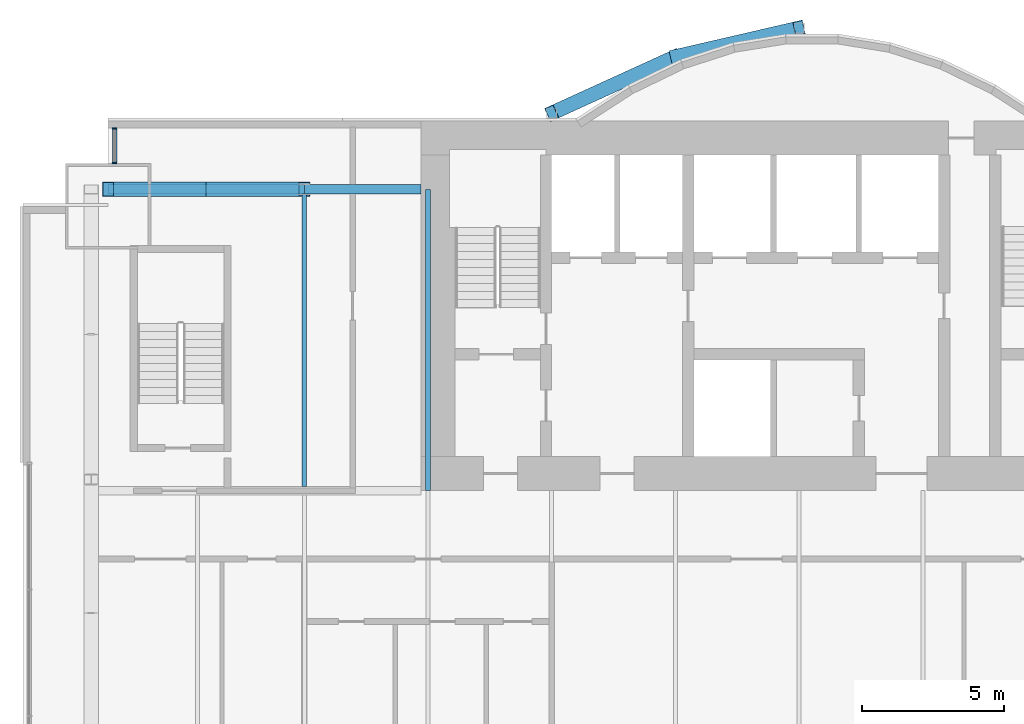
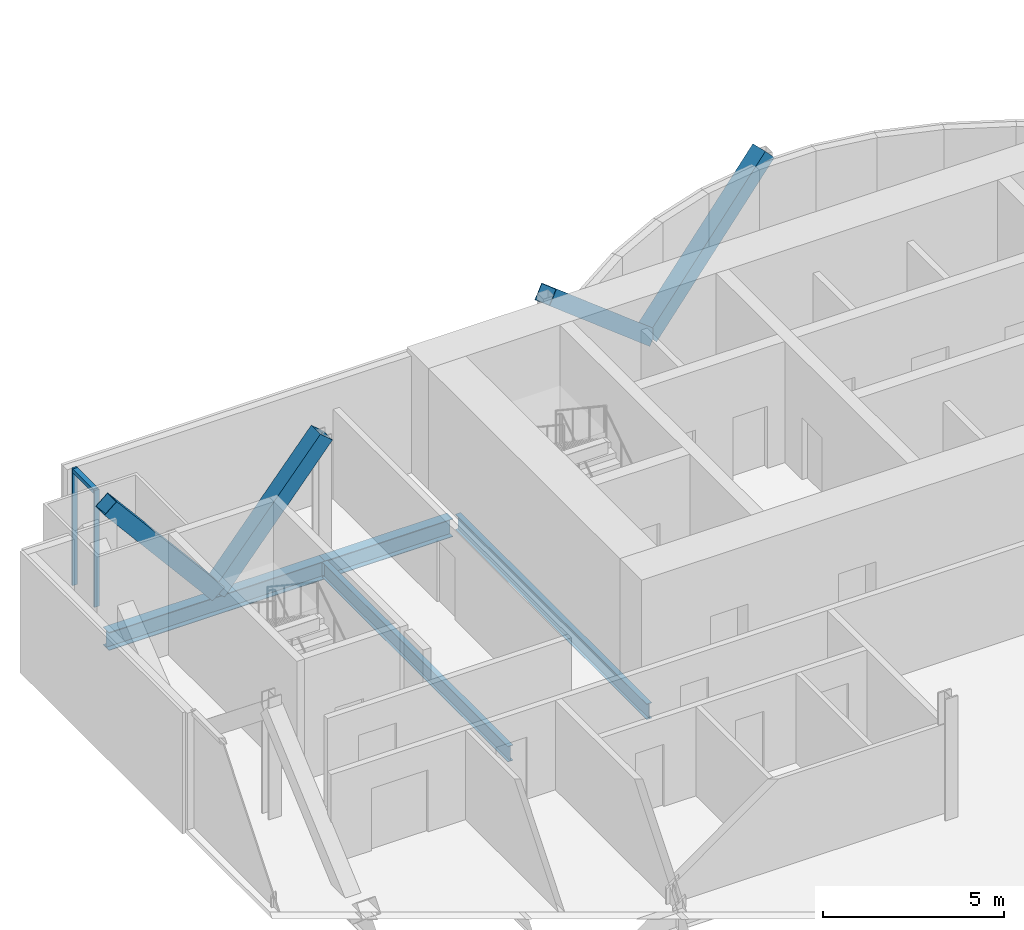
# One storey, part 10 of 21: 7 members, 4 beams, 1 element without a shape of its own.
"""IFC4 building model written with IfcOpenShell, lengths in metres."""

from ifc_helpers import new_model, si_unit, direction, frame, origin, origin_2d, place, context, subcontext, project, spatial, rectangle, hollow_rectangle, i_section, extrude, material, material_profile, profile_set, type_object, element, aggregate, save


model = new_model("IFC4")

# Units and contexts
model_context = context("Model", 3, precision=1e-05, world=origin(), true_north=direction((0.0, 1.0)))
body_context = subcontext(model_context, "Body", "Model", "MODEL_VIEW")
ifc_project = project(units=[si_unit("LENGTHUNIT", "METRE"), si_unit("AREAUNIT", "SQUARE_METRE"), si_unit("VOLUMEUNIT", "CUBIC_METRE"), si_unit("PLANEANGLEUNIT", "RADIAN"), si_unit("MASSUNIT", "GRAM", prefix="KILO")], contexts=[model_context])

# Site, building, storey
site_placement = place(None, origin())
site = spatial("IfcSite", under=ifc_project, at=site_placement, CompositionType="ELEMENT")
building_placement = place(site_placement, origin())
building = spatial("IfcBuilding", under=site, at=building_placement, Name="Bicima Exchange Tower", CompositionType="ELEMENT")
storey_placement = place(building_placement, frame((0.0, 0.0, 114.5)))
storey = spatial("IfcBuildingStorey", under=building, at=storey_placement, Name="L24", CompositionType="ELEMENT", Elevation=114.5)

# Beams
ifc_material_1 = material(Name="Steel ASTM A992 Gr 50", Category="steel")
ifc_material_profile_1 = material_profile(ifc_material_1, i_section(OverallWidth=0.165771484375, OverallDepth=0.5283203125, WebThickness=0.009765625, FlangeThickness=0.013671875, at=origin_2d()))
ifc_profile_set_1 = profile_set([ifc_material_profile_1], Name="Steel ASTM A992 Gr 50")
beam_type_1 = type_object("IfcBeamType", Name="Floor beam W21x50", PredefinedType="JOIST", material=ifc_profile_set_1)
beam_1_placement = place(storey_placement, frame((-26.10009765625, -2.5625, -0.414306640625), z_axis=(0.0, -1.0, 0.0), x_axis=(1.0, 0.0, 0.0)))
element("IfcBeam", 1, at=beam_1_placement, inside=storey, type_object=beam_type_1, Name="Floor beam", PredefinedType="JOIST", context=body_context, shape_type="SweptSolid", body=[
    extrude(i_section(OverallWidth=0.165771484375, OverallDepth=0.5283203125, WebThickness=0.009765625, FlangeThickness=0.013671875, at=origin_2d()), origin(), (0.0, 0.0, 1.0), 10.28515625),
])
beam_2_placement = place(storey_placement, frame((-21.75, -2.39990234375, -0.414306640625), z_axis=(0.0, -1.0, 0.0), x_axis=(1.0, 0.0, 0.0)))
element("IfcBeam", 2, at=beam_2_placement, inside=storey, type_object=beam_type_1, Name="Floor beam", PredefinedType="JOIST", context=body_context, shape_type="SweptSolid", body=[
    extrude(i_section(OverallWidth=0.165771484375, OverallDepth=0.5283203125, WebThickness=0.009765625, FlangeThickness=0.013671875, at=origin_2d()), origin(), (0.0, 0.0, 1.0), 10.60009765625),
])

# Curtain wall, members
ifc_material_2 = material(Name="Anodised bronze aluminium", Category="aluminium")
curtain_wall_type = type_object("IfcCurtainWallType", Name="Front glass wall", PredefinedType="NOTDEFINED", material=ifc_material_2)
curtain_wall_placement = place(storey_placement, origin())
curtain_wall = element("IfcCurtainWall", 3, at=curtain_wall_placement, inside=storey, type_object=curtain_wall_type, Name="Front glass wall L24 run 1", PredefinedType="NOTDEFINED")
ifc_material_profile_2 = material_profile(ifc_material_2, rectangle(XDim=0.159912109375, YDim=0.06005859375, at=origin_2d()))
ifc_profile_set_2 = profile_set([ifc_material_profile_2], Name="Anodised bronze aluminium")
member_type_1 = type_object("IfcMemberType", Name="Front glass wall mullion 60 x 160", PredefinedType="MULLION", material=ifc_profile_set_2)
member_1_placement = place(storey_placement, frame((-32.77001953125, -0.260009765625, 0.0), z_axis=(0.0, 0.0, 1.0), x_axis=(1.0, 0.0, 0.0)))
member_1 = element("IfcMember", 4, at=member_1_placement, type_object=member_type_1, Name="Front glass wall mullion 1", PredefinedType="MULLION", context=body_context, shape_type="SweptSolid", body=[
    extrude(rectangle(XDim=0.159912109375, YDim=0.06005859375, at=origin_2d()), origin(), (0.0, 0.0, 1.0), 3.949951171875),
])
member_2_placement = place(storey_placement, frame((-32.77001953125, -1.469970703125, 0.0), z_axis=(0.0, 0.0, 1.0), x_axis=(1.0, 0.0, 0.0)))
member_2 = element("IfcMember", 5, at=member_2_placement, type_object=member_type_1, Name="Front glass wall mullion 2", PredefinedType="MULLION", context=body_context, shape_type="SweptSolid", body=[
    extrude(rectangle(XDim=0.159912109375, YDim=0.06005859375, at=origin_2d()), origin(), (0.0, 0.0, 1.0), 3.949951171875),
])
ifc_material_profile_3 = material_profile(ifc_material_2, rectangle(XDim=0.159912109375, YDim=0.139892578125, at=origin_2d()))
ifc_profile_set_3 = profile_set([ifc_material_profile_3], Name="Anodised bronze aluminium")
member_type_2 = type_object("IfcMemberType", Name="Front glass wall transom 140 x 160", PredefinedType="USERDEFINED", material=ifc_profile_set_3)
member_3_placement = place(storey_placement, frame((-32.77001953125, -0.2900390625, 3.8798828125), z_axis=(0.0, -1.0, 0.0), x_axis=(1.0, 0.0, 0.0)))
member_3 = element("IfcMember", 6, at=member_3_placement, type_object=member_type_2, Name="Front glass wall transom 1.1", ObjectType="TRANSOM", PredefinedType="USERDEFINED", context=body_context, shape_type="SweptSolid", body=[
    extrude(rectangle(XDim=0.159912109375, YDim=0.139892578125, at=origin_2d()), origin(), (0.0, 0.0, 1.0), 1.14990234375),
])
aggregate(curtain_wall, [member_1, member_2, member_3])

# Members
ifc_material_3 = material(Name="Steel ASTM A572 Gr 50", Category="steel")
ifc_material_profile_4 = material_profile(ifc_material_3, hollow_rectangle(XDim=0.508056640625, YDim=0.508056640625, WallThickness=0.0146484375, at=origin_2d()))
ifc_profile_set_4 = profile_set([ifc_material_profile_4], Name="Steel ASTM A572 Gr 50")
member_type_3 = type_object("IfcMemberType", Name="Mega brace HSS20x20x5/8", PredefinedType="BRACE", material=ifc_profile_set_4)
member_4_placement = place(storey_placement, frame((-13.050048828125, 2.262451171875, 0.0), z_axis=(0.717605620354, 0.166050509188, 0.676364843878), x_axis=(-0.225438503722, 0.974257399787, 0.0)))
element("IfcMember", 7, at=member_4_placement, inside=storey, type_object=member_type_3, Name="Mega brace rexo", PredefinedType="BRACE", context=body_context, shape_type="SweptSolid", body=[
    extrude(hollow_rectangle(XDim=0.508056640625, YDim=0.508056640625, WallThickness=0.0146484375, at=origin_2d()), origin(), (0.0, 0.0, 1.0), 6.06201171875),
])
member_5_placement = place(storey_placement, frame((-13.050048828125, 2.262451171875, 0.0), z_axis=(-0.690628963585, -0.315060460011, 0.650975069565), x_axis=(0.415045223819, -0.909800781592, 0.0)))
element("IfcMember", 8, at=member_5_placement, inside=storey, type_object=member_type_3, Name="Mega brace rexo", PredefinedType="BRACE", context=body_context, shape_type="SweptSolid", body=[
    extrude(hollow_rectangle(XDim=0.508056640625, YDim=0.508056640625, WallThickness=0.0146484375, at=origin_2d()), origin(), (0.0, 0.0, 1.0), 6.29833984375),
])
for number, where, z_axis, x_axis, name in (
    (9, (-29.550048828125, -2.39990234375, 0.0), (0.643834042494, 0.0, 0.765165162384), (0.0, 1.0, 0.0), "Mega brace rear"),
    (10, (-29.550048828125, -2.39990234375, 0.0), (-0.643834042494, 0.0, 0.765165162384), (0.0, -1.0, 0.0), "Mega brace rear"),
):
    element("IfcMember", number, at=place(storey_placement, frame(where, z_axis=z_axis, x_axis=x_axis)), inside=storey, type_object=member_type_3, Name=name, PredefinedType="BRACE", context=body_context, shape_type="SweptSolid", body=[
        extrude(hollow_rectangle(XDim=0.508056640625, YDim=0.508056640625, WallThickness=0.0146484375, at=origin_2d()), origin(), (0.0, 0.0, 1.0), 5.3583984375),
    ])

# Beams
ifc_material_profile_5 = material_profile(ifc_material_1, i_section(OverallWidth=0.3251953125, OverallDepth=0.612060546875, WebThickness=0.0126953125, FlangeThickness=0.01904296875, at=origin_2d()))
ifc_profile_set_5 = profile_set([ifc_material_profile_5], Name="Steel ASTM A992 Gr 50")
beam_type_2 = type_object("IfcBeamType", Name="Rear girder W24x104", PredefinedType="BEAM", material=ifc_profile_set_5)
beam_3_placement = place(storey_placement, frame((-22.0, -2.39990234375, -0.4560546875), z_axis=(-1.0, 0.0, 0.0), x_axis=(0.0, -1.0, 0.0)))
element("IfcBeam", 11, at=beam_3_placement, inside=storey, type_object=beam_type_2, Name="Rear girder", PredefinedType="BEAM", context=body_context, shape_type="SweptSolid", body=[
    extrude(i_section(OverallWidth=0.3251953125, OverallDepth=0.612060546875, WebThickness=0.0126953125, FlangeThickness=0.01904296875, at=origin_2d()), origin(), (0.0, 0.0, 1.0), 4.10009765625),
])
beam_4_placement = place(storey_placement, frame((-26.10009765625, -2.39990234375, -0.4560546875), z_axis=(-1.0, 0.0, 0.0), x_axis=(0.0, -1.0, 0.0)))
element("IfcBeam", 12, at=beam_4_placement, inside=storey, type_object=beam_type_2, Name="Rear girder", PredefinedType="BEAM", context=body_context, shape_type="SweptSolid", body=[
    extrude(i_section(OverallWidth=0.3251953125, OverallDepth=0.612060546875, WebThickness=0.0126953125, FlangeThickness=0.01904296875, at=origin_2d()), origin(), (0.0, 0.0, 1.0), 6.89990234375),
])

save(model, "model.ifc")
